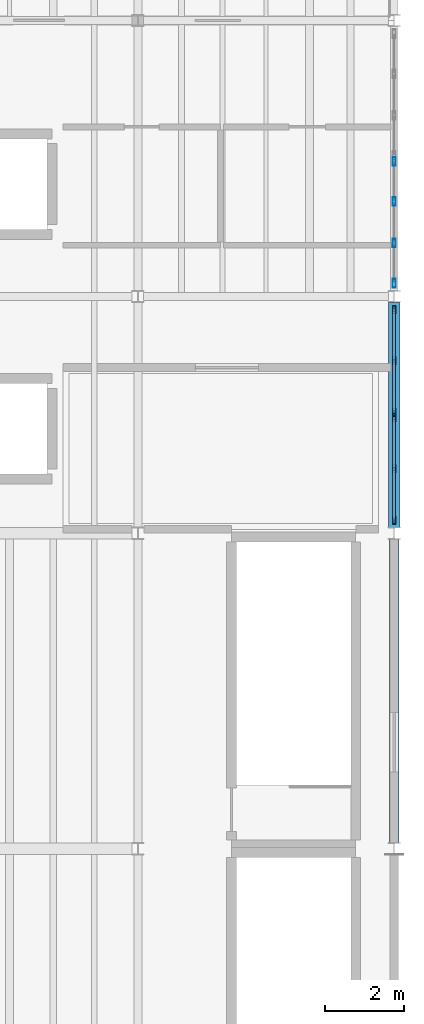
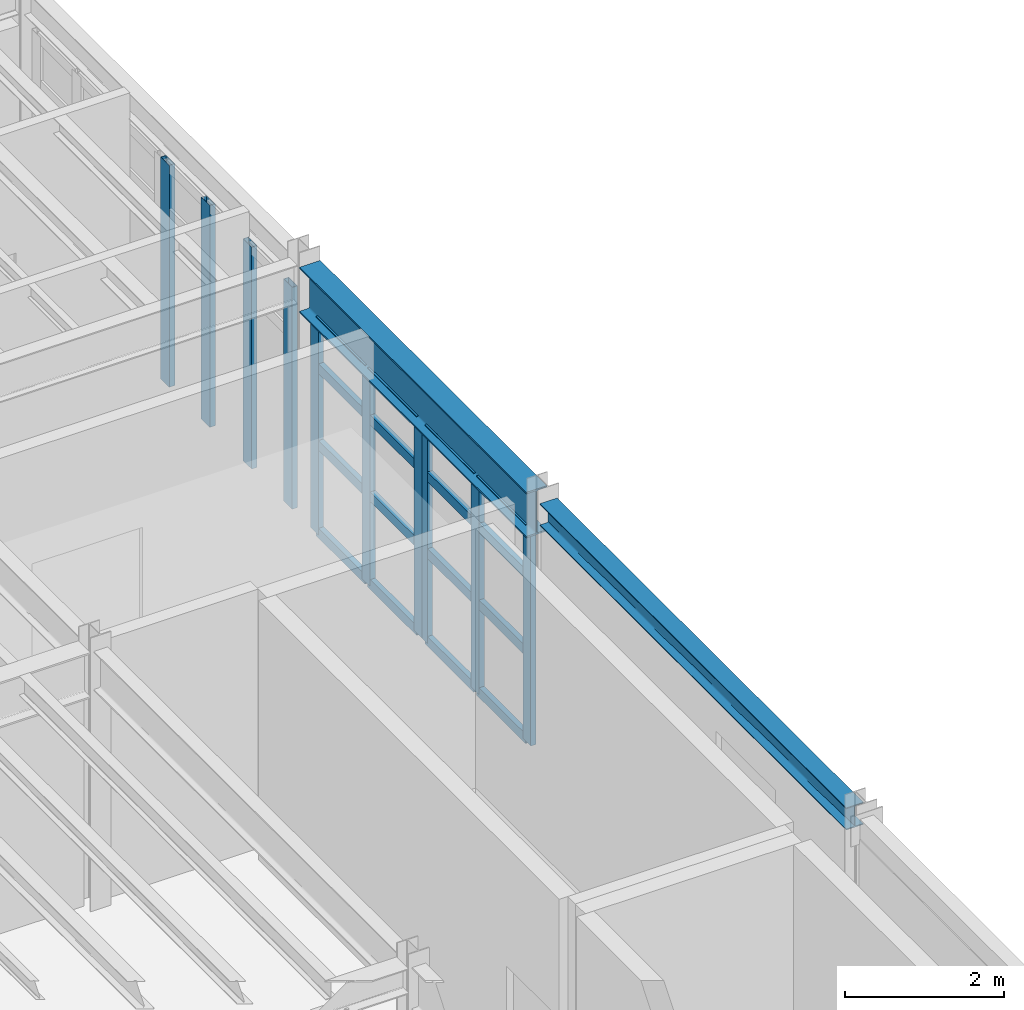
# One storey, part 10 of 27: 26 members, 2 beams, 3 elements without a shape of their own.
"""IFC4 building model written with IfcOpenShell, lengths in metres."""

from ifc_helpers import new_model, si_unit, direction, frame, origin, origin_2d, place, context, subcontext, project, spatial, hollow_rectangle, i_section, extrude, material, material_profile, profile_set, type_object, element, aggregate, save


model = new_model("IFC4")

# Units and contexts
model_context = context("Model", 3, precision=1e-05, world=origin(), true_north=direction((0.0, 1.0)))
body_context = subcontext(model_context, "Body", "Model", "MODEL_VIEW")
ifc_project = project(units=[si_unit("LENGTHUNIT", "METRE"), si_unit("AREAUNIT", "SQUARE_METRE"), si_unit("VOLUMEUNIT", "CUBIC_METRE"), si_unit("PLANEANGLEUNIT", "RADIAN"), si_unit("MASSUNIT", "GRAM", prefix="KILO"), si_unit("THERMODYNAMICTEMPERATUREUNIT", "KELVIN"), si_unit("POWERUNIT", "WATT")], contexts=[model_context])

# Site, building, storey
site_placement = place(None, origin())
site = spatial("IfcSite", under=ifc_project, at=site_placement, CompositionType="ELEMENT")
building_placement = place(site_placement, origin())
building = spatial("IfcBuilding", under=site, at=building_placement, Name="Zhenchuan Central Fire Station", CompositionType="ELEMENT")
storey_placement = place(building_placement, frame((0.0, 0.0, 14.25)))
storey = spatial("IfcBuildingStorey", under=building, at=storey_placement, Name="L04", CompositionType="ELEMENT", Elevation=14.25)

# Beams
ifc_material_1 = material(Name="Steel Q355B", Category="steel")
ifc_material_profile_1 = material_profile(ifc_material_1, i_section(OverallWidth=0.25, OverallDepth=0.340087890625, WebThickness=0.009033203125, FlangeThickness=0.013916015625, FilletRadius=0.01806640625, at=origin_2d()), Name="HM 340x250")
ifc_profile_set_1 = profile_set([ifc_material_profile_1], Name="Steel Q355B")
beam_type_1 = type_object("IfcBeamType", Name="BM-HM340-EXT", PredefinedType="BEAM", material=ifc_profile_set_1)
beam_1_placement = place(storey_placement, frame((161.0, 14.64990234375, 3.81005859375), z_axis=(0.0, 1.0, 0.0), x_axis=(-1.0, 0.0, 0.0)))
element("IfcBeam", 1, at=beam_1_placement, inside=storey, type_object=beam_type_1, Name="L05 Girder NS 0482", PredefinedType="BEAM", context=body_context, shape_type="SweptSolid", body=[
    extrude(i_section(OverallWidth=0.25, OverallDepth=0.340087890625, WebThickness=0.009033203125, FlangeThickness=0.013916015625, FilletRadius=0.01806640625, at=origin_2d()), origin(), (0.0, 0.0, 1.0), 7.7001953125),
])
ifc_material_profile_2 = material_profile(ifc_material_1, i_section(OverallWidth=0.300048828125, OverallDepth=0.699951171875, WebThickness=0.012939453125, FlangeThickness=0.02392578125, FilletRadius=0.02392578125, at=origin_2d()), Name="HN 700x300")
ifc_profile_set_2 = profile_set([ifc_material_profile_2], Name="Steel Q355B")
beam_type_2 = type_object("IfcBeamType", Name="BM-HN700-EXT", PredefinedType="BEAM", material=ifc_profile_set_2)
beam_2_placement = place(storey_placement, frame((161.0, 22.64990234375, 3.6298828125), z_axis=(0.0, 1.0, 0.0), x_axis=(-1.0, 0.0, 0.0)))
element("IfcBeam", 2, at=beam_2_placement, inside=storey, type_object=beam_type_2, Name="L05 Girder NS 0483", PredefinedType="BEAM", context=body_context, shape_type="SweptSolid", body=[
    extrude(i_section(OverallWidth=0.300048828125, OverallDepth=0.699951171875, WebThickness=0.012939453125, FlangeThickness=0.02392578125, FilletRadius=0.02392578125, at=origin_2d()), origin(), (0.0, 0.0, 1.0), 5.7001953125),
])

# Curtain wall, members
ifc_material_2 = material(Name="Anodised aluminium and low-E glazing", Category="aluminium")
curtain_wall_type_1 = type_object("IfcCurtainWallType", Name="CW-MOD-10", PredefinedType="USERDEFINED", material=ifc_material_2)
curtain_wall_1_placement = place(storey_placement, origin())
curtain_wall_1 = element("IfcCurtainWall", 3, at=curtain_wall_1_placement, inside=storey, type_object=curtain_wall_type_1, Name="L04 Unitised Curtain Wall 128", ObjectType="UNITISED GLAZING", PredefinedType="USERDEFINED")
ifc_material_3 = material(Name="Anodised aluminium EN AW-6063", Category="aluminium")
ifc_material_profile_3 = material_profile(ifc_material_3, hollow_rectangle(XDim=0.074951171875, YDim=0.199951171875, WallThickness=0.0048828125, at=origin_2d()), Name="ALU-M 200x75")
ifc_profile_set_3 = profile_set([ifc_material_profile_3], Name="Anodised aluminium EN AW-6063")
member_type_1 = type_object("IfcMemberType", Name="CW-MUL160", PredefinedType="MULLION", material=ifc_profile_set_3)
member_1_placement = place(storey_placement, frame((161.0, 22.83251953125, -0.00390625), z_axis=(0.0, 0.0, 1.0), x_axis=(-1.0, 0.0, 0.0)))
member_1 = element("IfcMember", 4, at=member_1_placement, type_object=member_type_1, Name="CW-10 mullion 1", PredefinedType="MULLION", context=body_context, shape_type="SweptSolid", body=[
    extrude(hollow_rectangle(XDim=0.074951171875, YDim=0.199951171875, WallThickness=0.0048828125, at=origin_2d()), origin(), (0.0, 0.0, 1.0), 3.27783203125),
])
member_2_placement = place(storey_placement, frame((161.0, 24.131103515625, -0.00390625), z_axis=(0.0, 0.0, 1.0), x_axis=(-1.0, 0.0, 0.0)))
member_2 = element("IfcMember", 5, at=member_2_placement, type_object=member_type_1, Name="CW-10 mullion 2", PredefinedType="MULLION", context=body_context, shape_type="SweptSolid", body=[
    extrude(hollow_rectangle(XDim=0.074951171875, YDim=0.199951171875, WallThickness=0.0048828125, at=origin_2d()), origin(), (0.0, 0.0, 1.0), 3.27783203125),
])
member_3_placement = place(storey_placement, frame((161.0, 25.429443359375, -0.00390625), z_axis=(0.0, 0.0, 1.0), x_axis=(-1.0, 0.0, 0.0)))
member_3 = element("IfcMember", 6, at=member_3_placement, type_object=member_type_1, Name="CW-10 mullion 3", PredefinedType="MULLION", context=body_context, shape_type="SweptSolid", body=[
    extrude(hollow_rectangle(XDim=0.074951171875, YDim=0.199951171875, WallThickness=0.0048828125, at=origin_2d()), origin(), (0.0, 0.0, 1.0), 3.27783203125),
])

curtain_wall_type_2 = type_object("IfcCurtainWallType", Name="CW-MOD-11", PredefinedType="USERDEFINED", material=ifc_material_2)
curtain_wall_2_placement = place(storey_placement, origin())
curtain_wall_2 = element("IfcCurtainWall", 7, at=curtain_wall_2_placement, inside=storey, type_object=curtain_wall_type_2, Name="L04 Unitised Curtain Wall 129", ObjectType="UNITISED GLAZING", PredefinedType="USERDEFINED")
member_4_placement = place(storey_placement, frame((161.0, 25.570556640625, -0.00390625), z_axis=(0.0, 0.0, 1.0), x_axis=(-1.0, 0.0, 0.0)))
member_4 = element("IfcMember", 8, at=member_4_placement, type_object=member_type_1, Name="CW-11 mullion 1", PredefinedType="MULLION", context=body_context, shape_type="SweptSolid", body=[
    extrude(hollow_rectangle(XDim=0.074951171875, YDim=0.199951171875, WallThickness=0.0048828125, at=origin_2d()), origin(), (0.0, 0.0, 1.0), 3.27783203125),
])
member_5_placement = place(storey_placement, frame((161.0, 26.868896484375, -0.00390625), z_axis=(0.0, 0.0, 1.0), x_axis=(-1.0, 0.0, 0.0)))
member_5 = element("IfcMember", 9, at=member_5_placement, type_object=member_type_1, Name="CW-11 mullion 2", PredefinedType="MULLION", context=body_context, shape_type="SweptSolid", body=[
    extrude(hollow_rectangle(XDim=0.074951171875, YDim=0.199951171875, WallThickness=0.0048828125, at=origin_2d()), origin(), (0.0, 0.0, 1.0), 3.27783203125),
])
member_6_placement = place(storey_placement, frame((161.0, 28.16748046875, -0.00390625), z_axis=(0.0, 0.0, 1.0), x_axis=(-1.0, 0.0, 0.0)))
member_6 = element("IfcMember", 10, at=member_6_placement, type_object=member_type_1, Name="CW-11 mullion 3", PredefinedType="MULLION", context=body_context, shape_type="SweptSolid", body=[
    extrude(hollow_rectangle(XDim=0.074951171875, YDim=0.199951171875, WallThickness=0.0048828125, at=origin_2d()), origin(), (0.0, 0.0, 1.0), 3.27783203125),
])

curtain_wall_type_3 = type_object("IfcCurtainWallType", Name="CW-MOD-12", PredefinedType="USERDEFINED", material=ifc_material_2)
curtain_wall_3_placement = place(storey_placement, origin())
curtain_wall_3 = element("IfcCurtainWall", 11, at=curtain_wall_3_placement, inside=storey, type_object=curtain_wall_type_3, Name="L04 Unitised Curtain Wall 130", ObjectType="UNITISED GLAZING", PredefinedType="USERDEFINED")
ifc_material_profile_4 = material_profile(ifc_material_3, hollow_rectangle(XDim=0.080078125, YDim=0.219970703125, WallThickness=0.005615234375, at=origin_2d()), Name="ALU-M 220x80")
ifc_profile_set_4 = profile_set([ifc_material_profile_4], Name="Anodised aluminium EN AW-6063")
member_type_2 = type_object("IfcMemberType", Name="CW-MUL200", PredefinedType="MULLION", material=ifc_profile_set_4)
member_7_placement = place(storey_placement, frame((161.0, 28.83740234375, -0.00390625), z_axis=(0.0, 0.0, 1.0), x_axis=(-1.0, 0.0, 0.0)))
member_7 = element("IfcMember", 12, at=member_7_placement, type_object=member_type_2, Name="CW-12 mullion 1", PredefinedType="MULLION", context=body_context, shape_type="SweptSolid", body=[
    extrude(hollow_rectangle(XDim=0.080078125, YDim=0.219970703125, WallThickness=0.005615234375, at=origin_2d()), origin(), (0.0, 0.0, 1.0), 3.40380859375),
])
member_8_placement = place(storey_placement, frame((161.0, 29.85400390625, -0.00390625), z_axis=(0.0, 0.0, 1.0), x_axis=(-1.0, 0.0, 0.0)))
member_8 = element("IfcMember", 13, at=member_8_placement, type_object=member_type_2, Name="CW-12 mullion 2", PredefinedType="MULLION", context=body_context, shape_type="SweptSolid", body=[
    extrude(hollow_rectangle(XDim=0.080078125, YDim=0.219970703125, WallThickness=0.005615234375, at=origin_2d()), origin(), (0.0, 0.0, 1.0), 3.40380859375),
])
member_9_placement = place(storey_placement, frame((161.0, 30.907958984375, -0.00390625), z_axis=(0.0, 0.0, 1.0), x_axis=(-1.0, 0.0, 0.0)))
member_9 = element("IfcMember", 14, at=member_9_placement, type_object=member_type_2, Name="CW-12 mullion 3", PredefinedType="MULLION", context=body_context, shape_type="SweptSolid", body=[
    extrude(hollow_rectangle(XDim=0.080078125, YDim=0.219970703125, WallThickness=0.005615234375, at=origin_2d()), origin(), (0.0, 0.0, 1.0), 3.40380859375),
])
member_10_placement = place(storey_placement, frame((161.0, 31.924560546875, -0.00390625), z_axis=(0.0, 0.0, 1.0), x_axis=(-1.0, 0.0, 0.0)))
member_10 = element("IfcMember", 15, at=member_10_placement, type_object=member_type_2, Name="CW-12 mullion 4", PredefinedType="MULLION", context=body_context, shape_type="SweptSolid", body=[
    extrude(hollow_rectangle(XDim=0.080078125, YDim=0.219970703125, WallThickness=0.005615234375, at=origin_2d()), origin(), (0.0, 0.0, 1.0), 3.40380859375),
])
aggregate(curtain_wall_3, [member_7, member_8, member_9, member_10])

# Member
ifc_material_profile_5 = material_profile(ifc_material_3, hollow_rectangle(XDim=0.074951171875, YDim=0.14990234375, WallThickness=0.0048828125, at=origin_2d()), Name="ALU-T 150x75")
ifc_profile_set_5 = profile_set([ifc_material_profile_5], Name="Anodised aluminium EN AW-6063")
member_type_3 = type_object("IfcMemberType", Name="CW-TRN130", PredefinedType="NOTDEFINED", material=ifc_profile_set_5)
member_11_placement = place(storey_placement, frame((161.0, 22.864990234375, 0.028564453125), z_axis=(0.0, 1.0, 0.0), x_axis=(-1.0, 0.0, 0.0)))
member_11 = element("IfcMember", 16, at=member_11_placement, type_object=member_type_3, Name="CW-10 transom 1.1", ObjectType="TRANSOM", PredefinedType="USERDEFINED", context=body_context, shape_type="SweptSolid", body=[
    extrude(hollow_rectangle(XDim=0.074951171875, YDim=0.14990234375, WallThickness=0.0048828125, at=origin_2d()), origin(), (0.0, 0.0, 1.0), 1.2333984375),
])

member_12_placement = place(storey_placement, frame((161.0, 22.864990234375, 1.375), z_axis=(0.0, 1.0, 0.0), x_axis=(-1.0, 0.0, 0.0)))
member_12 = element("IfcMember", 17, at=member_12_placement, type_object=member_type_3, Name="CW-10 transom 1.2", ObjectType="TRANSOM", PredefinedType="USERDEFINED", context=body_context, shape_type="SweptSolid", body=[
    extrude(hollow_rectangle(XDim=0.074951171875, YDim=0.14990234375, WallThickness=0.0048828125, at=origin_2d()), origin(), (0.0, 0.0, 1.0), 1.2333984375),
])

member_13_placement = place(storey_placement, frame((161.0, 22.864990234375, 2.5537109375), z_axis=(0.0, 1.0, 0.0), x_axis=(-1.0, 0.0, 0.0)))
member_13 = element("IfcMember", 18, at=member_13_placement, type_object=member_type_3, Name="CW-10 transom 1.3", ObjectType="TRANSOM", PredefinedType="USERDEFINED", context=body_context, shape_type="SweptSolid", body=[
    extrude(hollow_rectangle(XDim=0.074951171875, YDim=0.14990234375, WallThickness=0.0048828125, at=origin_2d()), origin(), (0.0, 0.0, 1.0), 1.2333984375),
])

member_14_placement = place(storey_placement, frame((161.0, 22.864990234375, 3.241455078125), z_axis=(0.0, 1.0, 0.0), x_axis=(-1.0, 0.0, 0.0)))
member_14 = element("IfcMember", 19, at=member_14_placement, type_object=member_type_3, Name="CW-10 transom 1.4", ObjectType="TRANSOM", PredefinedType="USERDEFINED", context=body_context, shape_type="SweptSolid", body=[
    extrude(hollow_rectangle(XDim=0.074951171875, YDim=0.14990234375, WallThickness=0.0048828125, at=origin_2d()), origin(), (0.0, 0.0, 1.0), 1.2333984375),
])

member_15_placement = place(storey_placement, frame((161.0, 24.16357421875, 0.028564453125), z_axis=(0.0, 1.0, 0.0), x_axis=(-1.0, 0.0, 0.0)))
member_15 = element("IfcMember", 20, at=member_15_placement, type_object=member_type_3, Name="CW-10 transom 2.1", ObjectType="TRANSOM", PredefinedType="USERDEFINED", context=body_context, shape_type="SweptSolid", body=[
    extrude(hollow_rectangle(XDim=0.074951171875, YDim=0.14990234375, WallThickness=0.0048828125, at=origin_2d()), origin(), (0.0, 0.0, 1.0), 1.2333984375),
])

member_16_placement = place(storey_placement, frame((161.0, 24.16357421875, 1.375), z_axis=(0.0, 1.0, 0.0), x_axis=(-1.0, 0.0, 0.0)))
member_16 = element("IfcMember", 21, at=member_16_placement, type_object=member_type_3, Name="CW-10 transom 2.2", ObjectType="TRANSOM", PredefinedType="USERDEFINED", context=body_context, shape_type="SweptSolid", body=[
    extrude(hollow_rectangle(XDim=0.074951171875, YDim=0.14990234375, WallThickness=0.0048828125, at=origin_2d()), origin(), (0.0, 0.0, 1.0), 1.2333984375),
])

member_17_placement = place(storey_placement, frame((161.0, 24.16357421875, 2.5537109375), z_axis=(0.0, 1.0, 0.0), x_axis=(-1.0, 0.0, 0.0)))
member_17 = element("IfcMember", 22, at=member_17_placement, type_object=member_type_3, Name="CW-10 transom 2.3", ObjectType="TRANSOM", PredefinedType="USERDEFINED", context=body_context, shape_type="SweptSolid", body=[
    extrude(hollow_rectangle(XDim=0.074951171875, YDim=0.14990234375, WallThickness=0.0048828125, at=origin_2d()), origin(), (0.0, 0.0, 1.0), 1.2333984375),
])

member_18_placement = place(storey_placement, frame((161.0, 24.16357421875, 3.241455078125), z_axis=(0.0, 1.0, 0.0), x_axis=(-1.0, 0.0, 0.0)))
member_18 = element("IfcMember", 23, at=member_18_placement, type_object=member_type_3, Name="CW-10 transom 2.4", ObjectType="TRANSOM", PredefinedType="USERDEFINED", context=body_context, shape_type="SweptSolid", body=[
    extrude(hollow_rectangle(XDim=0.074951171875, YDim=0.14990234375, WallThickness=0.0048828125, at=origin_2d()), origin(), (0.0, 0.0, 1.0), 1.2333984375),
])

aggregate(curtain_wall_1, [member_1, member_2, member_3, member_11, member_12, member_13, member_14, member_15, member_16, member_17, member_18])

member_19_placement = place(storey_placement, frame((161.0, 25.60302734375, 0.028564453125), z_axis=(0.0, 1.0, 0.0), x_axis=(-1.0, 0.0, 0.0)))
member_19 = element("IfcMember", 24, at=member_19_placement, type_object=member_type_3, Name="CW-11 transom 1.1", ObjectType="TRANSOM", PredefinedType="USERDEFINED", context=body_context, shape_type="SweptSolid", body=[
    extrude(hollow_rectangle(XDim=0.074951171875, YDim=0.14990234375, WallThickness=0.0048828125, at=origin_2d()), origin(), (0.0, 0.0, 1.0), 1.2333984375),
])

member_20_placement = place(storey_placement, frame((161.0, 25.60302734375, 1.375), z_axis=(0.0, 1.0, 0.0), x_axis=(-1.0, 0.0, 0.0)))
member_20 = element("IfcMember", 25, at=member_20_placement, type_object=member_type_3, Name="CW-11 transom 1.2", ObjectType="TRANSOM", PredefinedType="USERDEFINED", context=body_context, shape_type="SweptSolid", body=[
    extrude(hollow_rectangle(XDim=0.074951171875, YDim=0.14990234375, WallThickness=0.0048828125, at=origin_2d()), origin(), (0.0, 0.0, 1.0), 1.2333984375),
])

member_21_placement = place(storey_placement, frame((161.0, 25.60302734375, 2.5537109375), z_axis=(0.0, 1.0, 0.0), x_axis=(-1.0, 0.0, 0.0)))
member_21 = element("IfcMember", 26, at=member_21_placement, type_object=member_type_3, Name="CW-11 transom 1.3", ObjectType="TRANSOM", PredefinedType="USERDEFINED", context=body_context, shape_type="SweptSolid", body=[
    extrude(hollow_rectangle(XDim=0.074951171875, YDim=0.14990234375, WallThickness=0.0048828125, at=origin_2d()), origin(), (0.0, 0.0, 1.0), 1.2333984375),
])

member_22_placement = place(storey_placement, frame((161.0, 25.60302734375, 3.241455078125), z_axis=(0.0, 1.0, 0.0), x_axis=(-1.0, 0.0, 0.0)))
member_22 = element("IfcMember", 27, at=member_22_placement, type_object=member_type_3, Name="CW-11 transom 1.4", ObjectType="TRANSOM", PredefinedType="USERDEFINED", context=body_context, shape_type="SweptSolid", body=[
    extrude(hollow_rectangle(XDim=0.074951171875, YDim=0.14990234375, WallThickness=0.0048828125, at=origin_2d()), origin(), (0.0, 0.0, 1.0), 1.2333984375),
])

member_23_placement = place(storey_placement, frame((161.0, 26.901611328125, 0.028564453125), z_axis=(0.0, 1.0, 0.0), x_axis=(-1.0, 0.0, 0.0)))
member_23 = element("IfcMember", 28, at=member_23_placement, type_object=member_type_3, Name="CW-11 transom 2.1", ObjectType="TRANSOM", PredefinedType="USERDEFINED", context=body_context, shape_type="SweptSolid", body=[
    extrude(hollow_rectangle(XDim=0.074951171875, YDim=0.14990234375, WallThickness=0.0048828125, at=origin_2d()), origin(), (0.0, 0.0, 1.0), 1.2333984375),
])

member_24_placement = place(storey_placement, frame((161.0, 26.901611328125, 1.375), z_axis=(0.0, 1.0, 0.0), x_axis=(-1.0, 0.0, 0.0)))
member_24 = element("IfcMember", 29, at=member_24_placement, type_object=member_type_3, Name="CW-11 transom 2.2", ObjectType="TRANSOM", PredefinedType="USERDEFINED", context=body_context, shape_type="SweptSolid", body=[
    extrude(hollow_rectangle(XDim=0.074951171875, YDim=0.14990234375, WallThickness=0.0048828125, at=origin_2d()), origin(), (0.0, 0.0, 1.0), 1.2333984375),
])

member_25_placement = place(storey_placement, frame((161.0, 26.901611328125, 2.5537109375), z_axis=(0.0, 1.0, 0.0), x_axis=(-1.0, 0.0, 0.0)))
member_25 = element("IfcMember", 30, at=member_25_placement, type_object=member_type_3, Name="CW-11 transom 2.3", ObjectType="TRANSOM", PredefinedType="USERDEFINED", context=body_context, shape_type="SweptSolid", body=[
    extrude(hollow_rectangle(XDim=0.074951171875, YDim=0.14990234375, WallThickness=0.0048828125, at=origin_2d()), origin(), (0.0, 0.0, 1.0), 1.2333984375),
])

member_26_placement = place(storey_placement, frame((161.0, 26.901611328125, 3.241455078125), z_axis=(0.0, 1.0, 0.0), x_axis=(-1.0, 0.0, 0.0)))
member_26 = element("IfcMember", 31, at=member_26_placement, type_object=member_type_3, Name="CW-11 transom 2.4", ObjectType="TRANSOM", PredefinedType="USERDEFINED", context=body_context, shape_type="SweptSolid", body=[
    extrude(hollow_rectangle(XDim=0.074951171875, YDim=0.14990234375, WallThickness=0.0048828125, at=origin_2d()), origin(), (0.0, 0.0, 1.0), 1.2333984375),
])

aggregate(curtain_wall_2, [member_4, member_5, member_6, member_19, member_20, member_21, member_22, member_23, member_24, member_25, member_26])

save(model, "model.ifc")
